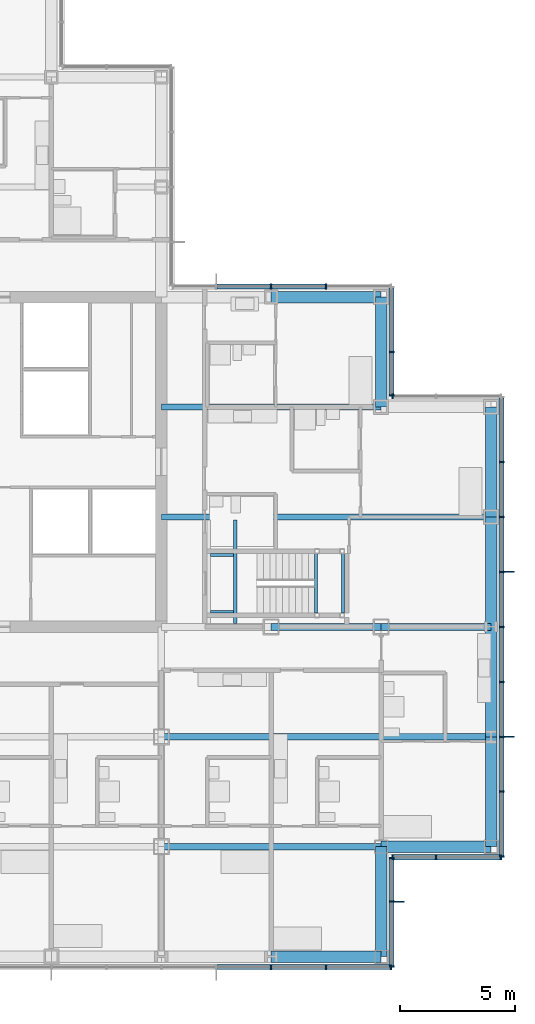
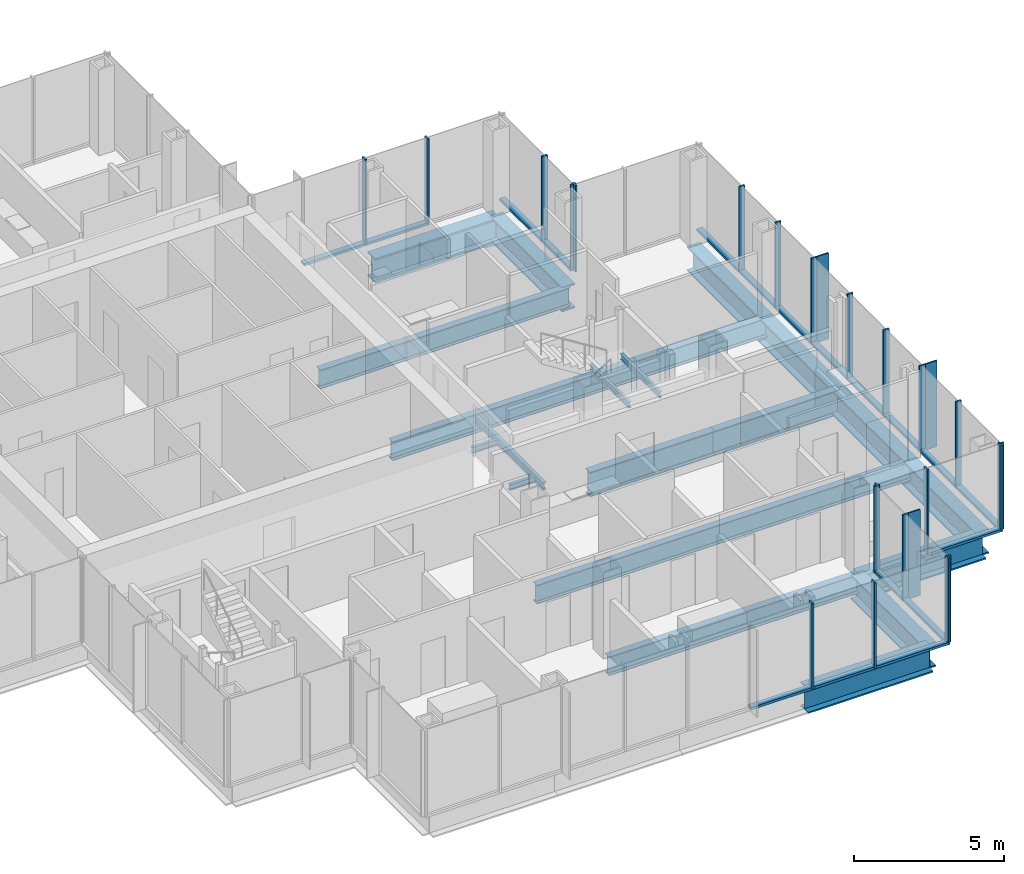
# One storey, part 8 of 19: 44 members, 20 beams, 7 elements without a shape of their own.
"""IFC4 building model written with IfcOpenShell, lengths in metres."""

from ifc_helpers import new_model, si_unit, direction, frame, origin, origin_2d, place, context, subcontext, project, spatial, rectangle, i_section, extrude, material, material_profile, profile_set, type_object, element, aggregate, save


model = new_model("IFC4")

# Units and contexts
model_context = context("Model", 3, precision=1e-05, world=origin(), true_north=direction((0.0, 1.0)))
body_context = subcontext(model_context, "Body", "Model", "MODEL_VIEW")
ifc_project = project(units=[si_unit("LENGTHUNIT", "METRE"), si_unit("AREAUNIT", "SQUARE_METRE"), si_unit("VOLUMEUNIT", "CUBIC_METRE"), si_unit("PLANEANGLEUNIT", "RADIAN"), si_unit("MASSUNIT", "GRAM", prefix="KILO")], contexts=[model_context])

# Site, building, storey
site_placement = place(None, origin())
site = spatial("IfcSite", under=ifc_project, at=site_placement, CompositionType="ELEMENT")
building_placement = place(site_placement, origin())
building = spatial("IfcBuilding", under=site, at=building_placement, Name="Kvirike Care Tower", CompositionType="ELEMENT")
storey_placement = place(building_placement, frame((0.0, 0.0, 87.5)))
storey = spatial("IfcBuildingStorey", under=building, at=storey_placement, Name="L23", CompositionType="ELEMENT", Elevation=87.5)

# Curtain wall, members
ifc_material_1 = material(Name="Anodised aluminium stick system", Category="aluminium")
curtain_wall_type = type_object("IfcCurtainWallType", Name="CW-B STICK CURTAIN WALL", PredefinedType="NOTDEFINED", material=ifc_material_1)
curtain_wall_1_placement = place(storey_placement, origin())
curtain_wall_1 = element("IfcCurtainWall", 1, at=curtain_wall_1_placement, inside=storey, type_object=curtain_wall_type, Name="Curtain wall L23 face 1", PredefinedType="NOTDEFINED")
ifc_material_2 = material(Name="Bronze anodised aluminium fin", Category="aluminium")
ifc_material_profile_1 = material_profile(ifc_material_2, rectangle(XDim=0.050048828125, YDim=0.449951171875, at=origin_2d()), Name="BRONZE FIN 450")
ifc_profile_set_1 = profile_set([ifc_material_profile_1], Name="Bronze anodised aluminium fin")
member_type_1 = type_object("IfcMemberType", Name="BRONZE FIN 450", PredefinedType="USERDEFINED", material=ifc_profile_set_1)
member_1_placement = place(storey_placement, frame((43.9951171875, 24.0, 0.0), z_axis=(0.0, 0.0, 1.0), x_axis=(0.0, 1.0, 0.0)))
member_1 = element("IfcMember", 2, at=member_1_placement, type_object=member_type_1, Name="Bronze fin L23 face 1.3", ObjectType="FIN", PredefinedType="USERDEFINED", context=body_context, shape_type="SweptSolid", body=[
    extrude(rectangle(XDim=0.050048828125, YDim=0.449951171875, at=origin_2d()), origin(), (0.0, 0.0, 1.0), 3.5),
])
member_2_placement = place(storey_placement, frame((43.9951171875, 31.199951171875, 0.0), z_axis=(0.0, 0.0, 1.0), x_axis=(0.0, 1.0, 0.0)))
member_2 = element("IfcMember", 3, at=member_2_placement, type_object=member_type_1, Name="Bronze fin L23 face 1.6", ObjectType="FIN", PredefinedType="USERDEFINED", context=body_context, shape_type="SweptSolid", body=[
    extrude(rectangle(XDim=0.050048828125, YDim=0.449951171875, at=origin_2d()), origin(), (0.0, 0.0, 1.0), 3.5),
])

# Curtain wall, member
curtain_wall_2_placement = place(storey_placement, origin())
curtain_wall_2 = element("IfcCurtainWall", 4, at=curtain_wall_2_placement, inside=storey, type_object=curtain_wall_type, Name="Curtain wall L23 face 19", PredefinedType="NOTDEFINED")
member_3_placement = place(storey_placement, frame((39.195068359375, 16.800048828125, 0.0), z_axis=(0.0, 0.0, 1.0), x_axis=(0.0, 1.0, 0.0)))
member_3 = element("IfcMember", 5, at=member_3_placement, type_object=member_type_1, Name="Bronze fin L23 face 19.2", ObjectType="FIN", PredefinedType="USERDEFINED", context=body_context, shape_type="SweptSolid", body=[
    extrude(rectangle(XDim=0.050048828125, YDim=0.449951171875, at=origin_2d()), origin(), (0.0, 0.0, 1.0), 3.5),
])

# Member
ifc_material_3 = material(Name="Bronze anodised aluminium mullion", Category="aluminium")
ifc_material_profile_2 = material_profile(ifc_material_3, rectangle(XDim=0.06494140625, YDim=0.219970703125, at=origin_2d()), Name="CW-B MULLION 65x220")
ifc_profile_set_2 = profile_set([ifc_material_profile_2], Name="Bronze anodised aluminium mullion")
member_type_2 = type_object("IfcMemberType", Name="CW-B MULLION 65x220", PredefinedType="MULLION", material=ifc_profile_set_2)
member_4_placement = place(storey_placement, frame((43.659912109375, 18.7724609375, 0.0), z_axis=(0.0, 0.0, 1.0), x_axis=(0.0, 1.0, 0.0)))
member_4 = element("IfcMember", 6, at=member_4_placement, type_object=member_type_2, Name="CW-B mullion L23 face 1.1", PredefinedType="MULLION", context=body_context, shape_type="SweptSolid", body=[
    extrude(rectangle(XDim=0.06494140625, YDim=0.219970703125, at=origin_2d()), origin(), (0.0, 0.0, 1.0), 3.5),
])

member_5_placement = place(storey_placement, frame((43.659912109375, 21.60009765625, 0.0), z_axis=(0.0, 0.0, 1.0), x_axis=(0.0, 1.0, 0.0)))
member_5 = element("IfcMember", 7, at=member_5_placement, type_object=member_type_2, Name="CW-B mullion L23 face 1.2", PredefinedType="MULLION", context=body_context, shape_type="SweptSolid", body=[
    extrude(rectangle(XDim=0.06494140625, YDim=0.219970703125, at=origin_2d()), origin(), (0.0, 0.0, 1.0), 3.5),
])

member_6_placement = place(storey_placement, frame((43.659912109375, 24.0, 0.0), z_axis=(0.0, 0.0, 1.0), x_axis=(0.0, 1.0, 0.0)))
member_6 = element("IfcMember", 8, at=member_6_placement, type_object=member_type_2, Name="CW-B mullion L23 face 1.3", PredefinedType="MULLION", context=body_context, shape_type="SweptSolid", body=[
    extrude(rectangle(XDim=0.06494140625, YDim=0.219970703125, at=origin_2d()), origin(), (0.0, 0.0, 1.0), 3.5),
])

member_7_placement = place(storey_placement, frame((43.659912109375, 26.39990234375, 0.0), z_axis=(0.0, 0.0, 1.0), x_axis=(0.0, 1.0, 0.0)))
member_7 = element("IfcMember", 9, at=member_7_placement, type_object=member_type_2, Name="CW-B mullion L23 face 1.4", PredefinedType="MULLION", context=body_context, shape_type="SweptSolid", body=[
    extrude(rectangle(XDim=0.06494140625, YDim=0.219970703125, at=origin_2d()), origin(), (0.0, 0.0, 1.0), 3.5),
])

member_8_placement = place(storey_placement, frame((43.659912109375, 28.800048828125, 0.0), z_axis=(0.0, 0.0, 1.0), x_axis=(0.0, 1.0, 0.0)))
member_8 = element("IfcMember", 10, at=member_8_placement, type_object=member_type_2, Name="CW-B mullion L23 face 1.5", PredefinedType="MULLION", context=body_context, shape_type="SweptSolid", body=[
    extrude(rectangle(XDim=0.06494140625, YDim=0.219970703125, at=origin_2d()), origin(), (0.0, 0.0, 1.0), 3.5),
])

member_9_placement = place(storey_placement, frame((43.659912109375, 31.199951171875, 0.0), z_axis=(0.0, 0.0, 1.0), x_axis=(0.0, 1.0, 0.0)))
member_9 = element("IfcMember", 11, at=member_9_placement, type_object=member_type_2, Name="CW-B mullion L23 face 1.6", PredefinedType="MULLION", context=body_context, shape_type="SweptSolid", body=[
    extrude(rectangle(XDim=0.06494140625, YDim=0.219970703125, at=origin_2d()), origin(), (0.0, 0.0, 1.0), 3.5),
])

member_10_placement = place(storey_placement, frame((43.659912109375, 33.60009765625, 0.0), z_axis=(0.0, 0.0, 1.0), x_axis=(0.0, 1.0, 0.0)))
member_10 = element("IfcMember", 12, at=member_10_placement, type_object=member_type_2, Name="CW-B mullion L23 face 1.7", PredefinedType="MULLION", context=body_context, shape_type="SweptSolid", body=[
    extrude(rectangle(XDim=0.06494140625, YDim=0.219970703125, at=origin_2d()), origin(), (0.0, 0.0, 1.0), 3.5),
])

member_11_placement = place(storey_placement, frame((43.659912109375, 36.0, 0.0), z_axis=(0.0, 0.0, 1.0), x_axis=(0.0, 1.0, 0.0)))
member_11 = element("IfcMember", 13, at=member_11_placement, type_object=member_type_2, Name="CW-B mullion L23 face 1.8", PredefinedType="MULLION", context=body_context, shape_type="SweptSolid", body=[
    extrude(rectangle(XDim=0.06494140625, YDim=0.219970703125, at=origin_2d()), origin(), (0.0, 0.0, 1.0), 3.5),
])

# Curtain wall, member
curtain_wall_3_placement = place(storey_placement, origin())
curtain_wall_3 = element("IfcCurtainWall", 14, at=curtain_wall_3_placement, inside=storey, type_object=curtain_wall_type, Name="Curtain wall L23 face 2", PredefinedType="NOTDEFINED")
member_12_placement = place(storey_placement, frame((38.892578125, 38.860107421875, 0.0), z_axis=(0.0, 0.0, 1.0), x_axis=(-1.0, 0.0, 0.0)))
member_12 = element("IfcMember", 15, at=member_12_placement, type_object=member_type_2, Name="CW-B mullion L23 face 2.3", PredefinedType="MULLION", context=body_context, shape_type="SweptSolid", body=[
    extrude(rectangle(XDim=0.06494140625, YDim=0.219970703125, at=origin_2d()), origin(), (0.0, 0.0, 1.0), 3.5),
])
aggregate(curtain_wall_3, [member_12])

# Curtain wall, members
curtain_wall_4_placement = place(storey_placement, origin())
curtain_wall_4 = element("IfcCurtainWall", 16, at=curtain_wall_4_placement, inside=storey, type_object=curtain_wall_type, Name="Curtain wall L23 face 3", PredefinedType="NOTDEFINED")
member_13_placement = place(storey_placement, frame((38.860107421875, 38.892578125, 0.0), z_axis=(0.0, 0.0, 1.0), x_axis=(0.0, 1.0, 0.0)))
member_13 = element("IfcMember", 17, at=member_13_placement, type_object=member_type_2, Name="CW-B mullion L23 face 3.1", PredefinedType="MULLION", context=body_context, shape_type="SweptSolid", body=[
    extrude(rectangle(XDim=0.06494140625, YDim=0.219970703125, at=origin_2d()), origin(), (0.0, 0.0, 1.0), 3.5),
])
member_14_placement = place(storey_placement, frame((38.860107421875, 40.800048828125, 0.0), z_axis=(0.0, 0.0, 1.0), x_axis=(0.0, 1.0, 0.0)))
member_14 = element("IfcMember", 18, at=member_14_placement, type_object=member_type_2, Name="CW-B mullion L23 face 3.2", PredefinedType="MULLION", context=body_context, shape_type="SweptSolid", body=[
    extrude(rectangle(XDim=0.06494140625, YDim=0.219970703125, at=origin_2d()), origin(), (0.0, 0.0, 1.0), 3.5),
])

curtain_wall_5_placement = place(storey_placement, origin())
curtain_wall_5 = element("IfcCurtainWall", 19, at=curtain_wall_5_placement, inside=storey, type_object=curtain_wall_type, Name="Curtain wall L23 face 4", PredefinedType="NOTDEFINED")
member_15_placement = place(storey_placement, frame((36.0, 43.659912109375, 0.0), z_axis=(0.0, 0.0, 1.0), x_axis=(-1.0, 0.0, 0.0)))
member_15 = element("IfcMember", 20, at=member_15_placement, type_object=member_type_2, Name="CW-B mullion L23 face 4.2", PredefinedType="MULLION", context=body_context, shape_type="SweptSolid", body=[
    extrude(rectangle(XDim=0.06494140625, YDim=0.219970703125, at=origin_2d()), origin(), (0.0, 0.0, 1.0), 3.5),
])
member_16_placement = place(storey_placement, frame((33.60009765625, 43.659912109375, 0.0), z_axis=(0.0, 0.0, 1.0), x_axis=(-1.0, 0.0, 0.0)))
member_16 = element("IfcMember", 21, at=member_16_placement, type_object=member_type_2, Name="CW-B mullion L23 face 4.3", PredefinedType="MULLION", context=body_context, shape_type="SweptSolid", body=[
    extrude(rectangle(XDim=0.06494140625, YDim=0.219970703125, at=origin_2d()), origin(), (0.0, 0.0, 1.0), 3.5),
])

curtain_wall_6_placement = place(storey_placement, origin())
curtain_wall_6 = element("IfcCurtainWall", 22, at=curtain_wall_6_placement, inside=storey, type_object=curtain_wall_type, Name="Curtain wall L23 face 18", PredefinedType="NOTDEFINED")
member_17_placement = place(storey_placement, frame((33.60009765625, 13.93994140625, 0.0), z_axis=(0.0, 0.0, 1.0), x_axis=(1.0, 0.0, 0.0)))
member_17 = element("IfcMember", 23, at=member_17_placement, type_object=member_type_2, Name="CW-B mullion L23 face 18.7", PredefinedType="MULLION", context=body_context, shape_type="SweptSolid", body=[
    extrude(rectangle(XDim=0.06494140625, YDim=0.219970703125, at=origin_2d()), origin(), (0.0, 0.0, 1.0), 3.5),
])
member_18_placement = place(storey_placement, frame((36.0, 13.93994140625, 0.0), z_axis=(0.0, 0.0, 1.0), x_axis=(1.0, 0.0, 0.0)))
member_18 = element("IfcMember", 24, at=member_18_placement, type_object=member_type_2, Name="CW-B mullion L23 face 18.8", PredefinedType="MULLION", context=body_context, shape_type="SweptSolid", body=[
    extrude(rectangle(XDim=0.06494140625, YDim=0.219970703125, at=origin_2d()), origin(), (0.0, 0.0, 1.0), 3.5),
])
member_19_placement = place(storey_placement, frame((38.827392578125, 13.93994140625, 0.0), z_axis=(0.0, 0.0, 1.0), x_axis=(1.0, 0.0, 0.0)))
member_19 = element("IfcMember", 25, at=member_19_placement, type_object=member_type_2, Name="CW-B mullion L23 face 18.9", PredefinedType="MULLION", context=body_context, shape_type="SweptSolid", body=[
    extrude(rectangle(XDim=0.06494140625, YDim=0.219970703125, at=origin_2d()), origin(), (0.0, 0.0, 1.0), 3.5),
])

# Member
member_20_placement = place(storey_placement, frame((38.860107421875, 13.972412109375, 0.0), z_axis=(0.0, 0.0, 1.0), x_axis=(0.0, 1.0, 0.0)))
member_20 = element("IfcMember", 26, at=member_20_placement, type_object=member_type_2, Name="CW-B mullion L23 face 19.1", PredefinedType="MULLION", context=body_context, shape_type="SweptSolid", body=[
    extrude(rectangle(XDim=0.06494140625, YDim=0.219970703125, at=origin_2d()), origin(), (0.0, 0.0, 1.0), 3.5),
])

member_21_placement = place(storey_placement, frame((38.860107421875, 16.800048828125, 0.0), z_axis=(0.0, 0.0, 1.0), x_axis=(0.0, 1.0, 0.0)))
member_21 = element("IfcMember", 27, at=member_21_placement, type_object=member_type_2, Name="CW-B mullion L23 face 19.2", PredefinedType="MULLION", context=body_context, shape_type="SweptSolid", body=[
    extrude(rectangle(XDim=0.06494140625, YDim=0.219970703125, at=origin_2d()), origin(), (0.0, 0.0, 1.0), 3.5),
])

member_22_placement = place(storey_placement, frame((38.860107421875, 18.70751953125, 0.0), z_axis=(0.0, 0.0, 1.0), x_axis=(0.0, 1.0, 0.0)))
member_22 = element("IfcMember", 28, at=member_22_placement, type_object=member_type_2, Name="CW-B mullion L23 face 19.3", PredefinedType="MULLION", context=body_context, shape_type="SweptSolid", body=[
    extrude(rectangle(XDim=0.06494140625, YDim=0.219970703125, at=origin_2d()), origin(), (0.0, 0.0, 1.0), 3.5),
])

# Curtain wall, members
curtain_wall_7_placement = place(storey_placement, origin())
curtain_wall_7 = element("IfcCurtainWall", 29, at=curtain_wall_7_placement, inside=storey, type_object=curtain_wall_type, Name="Curtain wall L23 face 20", PredefinedType="NOTDEFINED")
member_23_placement = place(storey_placement, frame((38.892578125, 18.739990234375, 0.0), z_axis=(0.0, 0.0, 1.0), x_axis=(1.0, 0.0, 0.0)))
member_23 = element("IfcMember", 30, at=member_23_placement, type_object=member_type_2, Name="CW-B mullion L23 face 20.1", PredefinedType="MULLION", context=body_context, shape_type="SweptSolid", body=[
    extrude(rectangle(XDim=0.06494140625, YDim=0.219970703125, at=origin_2d()), origin(), (0.0, 0.0, 1.0), 3.5),
])
member_24_placement = place(storey_placement, frame((40.800048828125, 18.739990234375, 0.0), z_axis=(0.0, 0.0, 1.0), x_axis=(1.0, 0.0, 0.0)))
member_24 = element("IfcMember", 31, at=member_24_placement, type_object=member_type_2, Name="CW-B mullion L23 face 20.2", PredefinedType="MULLION", context=body_context, shape_type="SweptSolid", body=[
    extrude(rectangle(XDim=0.06494140625, YDim=0.219970703125, at=origin_2d()), origin(), (0.0, 0.0, 1.0), 3.5),
])
member_25_placement = place(storey_placement, frame((43.62744140625, 18.739990234375, 0.0), z_axis=(0.0, 0.0, 1.0), x_axis=(1.0, 0.0, 0.0)))
member_25 = element("IfcMember", 32, at=member_25_placement, type_object=member_type_2, Name="CW-B mullion L23 face 20.3", PredefinedType="MULLION", context=body_context, shape_type="SweptSolid", body=[
    extrude(rectangle(XDim=0.06494140625, YDim=0.219970703125, at=origin_2d()), origin(), (0.0, 0.0, 1.0), 3.5),
])

# Member
ifc_material_4 = material(Name="Bronze anodised aluminium transom", Category="aluminium")
ifc_material_profile_3 = material_profile(ifc_material_4, rectangle(XDim=0.219970703125, YDim=0.10009765625, at=origin_2d()), Name="CW-B TRANSOM 220x100")
ifc_profile_set_3 = profile_set([ifc_material_profile_3], Name="Bronze anodised aluminium transom")
member_type_3 = type_object("IfcMemberType", Name="CW-B TRANSOM 220x100", PredefinedType="USERDEFINED", material=ifc_profile_set_3)
member_26_placement = place(storey_placement, frame((43.659912109375, 18.804931640625, 0.050048828125), z_axis=(0.0, 1.0, 0.0), x_axis=(-1.0, 0.0, 0.0)))
member_26 = element("IfcMember", 33, at=member_26_placement, type_object=member_type_3, Name="CW-B sill transom L23 face 1.1", ObjectType="TRANSOM", PredefinedType="USERDEFINED", context=body_context, shape_type="SweptSolid", body=[
    extrude(rectangle(XDim=0.219970703125, YDim=0.10009765625, at=origin_2d()), origin(), (0.0, 0.0, 1.0), 2.762451171875),
])

member_27_placement = place(storey_placement, frame((43.659912109375, 21.632568359375, 0.050048828125), z_axis=(0.0, 1.0, 0.0), x_axis=(-1.0, 0.0, 0.0)))
member_27 = element("IfcMember", 34, at=member_27_placement, type_object=member_type_3, Name="CW-B sill transom L23 face 1.2", ObjectType="TRANSOM", PredefinedType="USERDEFINED", context=body_context, shape_type="SweptSolid", body=[
    extrude(rectangle(XDim=0.219970703125, YDim=0.10009765625, at=origin_2d()), origin(), (0.0, 0.0, 1.0), 2.3349609375),
])

member_28_placement = place(storey_placement, frame((43.659912109375, 24.032470703125, 0.050048828125), z_axis=(0.0, 1.0, 0.0), x_axis=(-1.0, 0.0, 0.0)))
member_28 = element("IfcMember", 35, at=member_28_placement, type_object=member_type_3, Name="CW-B sill transom L23 face 1.3", ObjectType="TRANSOM", PredefinedType="USERDEFINED", context=body_context, shape_type="SweptSolid", body=[
    extrude(rectangle(XDim=0.219970703125, YDim=0.10009765625, at=origin_2d()), origin(), (0.0, 0.0, 1.0), 2.3349609375),
])

member_29_placement = place(storey_placement, frame((43.659912109375, 26.4326171875, 0.050048828125), z_axis=(0.0, 1.0, 0.0), x_axis=(-1.0, 0.0, 0.0)))
member_29 = element("IfcMember", 36, at=member_29_placement, type_object=member_type_3, Name="CW-B sill transom L23 face 1.4", ObjectType="TRANSOM", PredefinedType="USERDEFINED", context=body_context, shape_type="SweptSolid", body=[
    extrude(rectangle(XDim=0.219970703125, YDim=0.10009765625, at=origin_2d()), origin(), (0.0, 0.0, 1.0), 2.3349609375),
])

member_30_placement = place(storey_placement, frame((43.659912109375, 28.83251953125, 0.050048828125), z_axis=(0.0, 1.0, 0.0), x_axis=(-1.0, 0.0, 0.0)))
member_30 = element("IfcMember", 37, at=member_30_placement, type_object=member_type_3, Name="CW-B sill transom L23 face 1.5", ObjectType="TRANSOM", PredefinedType="USERDEFINED", context=body_context, shape_type="SweptSolid", body=[
    extrude(rectangle(XDim=0.219970703125, YDim=0.10009765625, at=origin_2d()), origin(), (0.0, 0.0, 1.0), 2.3349609375),
])

member_31_placement = place(storey_placement, frame((43.659912109375, 31.232421875, 0.050048828125), z_axis=(0.0, 1.0, 0.0), x_axis=(-1.0, 0.0, 0.0)))
member_31 = element("IfcMember", 38, at=member_31_placement, type_object=member_type_3, Name="CW-B sill transom L23 face 1.6", ObjectType="TRANSOM", PredefinedType="USERDEFINED", context=body_context, shape_type="SweptSolid", body=[
    extrude(rectangle(XDim=0.219970703125, YDim=0.10009765625, at=origin_2d()), origin(), (0.0, 0.0, 1.0), 2.3349609375),
])

member_32_placement = place(storey_placement, frame((43.659912109375, 33.632568359375, 0.050048828125), z_axis=(0.0, 1.0, 0.0), x_axis=(-1.0, 0.0, 0.0)))
member_32 = element("IfcMember", 39, at=member_32_placement, type_object=member_type_3, Name="CW-B sill transom L23 face 1.7", ObjectType="TRANSOM", PredefinedType="USERDEFINED", context=body_context, shape_type="SweptSolid", body=[
    extrude(rectangle(XDim=0.219970703125, YDim=0.10009765625, at=origin_2d()), origin(), (0.0, 0.0, 1.0), 2.3349609375),
])

member_33_placement = place(storey_placement, frame((43.659912109375, 36.032470703125, 0.050048828125), z_axis=(0.0, 1.0, 0.0), x_axis=(-1.0, 0.0, 0.0)))
member_33 = element("IfcMember", 40, at=member_33_placement, type_object=member_type_3, Name="CW-B sill transom L23 face 1.8", ObjectType="TRANSOM", PredefinedType="USERDEFINED", context=body_context, shape_type="SweptSolid", body=[
    extrude(rectangle(XDim=0.219970703125, YDim=0.10009765625, at=origin_2d()), origin(), (0.0, 0.0, 1.0), 2.762451171875),
])

aggregate(curtain_wall_1, [member_4, member_5, member_6, member_1, member_7, member_8, member_9, member_2, member_10, member_11, member_26, member_27, member_28, member_29, member_30, member_31, member_32, member_33])

member_34_placement = place(storey_placement, frame((38.860107421875, 38.925048828125, 0.050048828125), z_axis=(0.0, 1.0, 0.0), x_axis=(-1.0, 0.0, 0.0)))
member_34 = element("IfcMember", 41, at=member_34_placement, type_object=member_type_3, Name="CW-B sill transom L23 face 3.1", ObjectType="TRANSOM", PredefinedType="USERDEFINED", context=body_context, shape_type="SweptSolid", body=[
    extrude(rectangle(XDim=0.219970703125, YDim=0.10009765625, at=origin_2d()), origin(), (0.0, 0.0, 1.0), 1.842529296875),
])

member_35_placement = place(storey_placement, frame((38.860107421875, 40.83251953125, 0.050048828125), z_axis=(0.0, 1.0, 0.0), x_axis=(-1.0, 0.0, 0.0)))
member_35 = element("IfcMember", 42, at=member_35_placement, type_object=member_type_3, Name="CW-B sill transom L23 face 3.2", ObjectType="TRANSOM", PredefinedType="USERDEFINED", context=body_context, shape_type="SweptSolid", body=[
    extrude(rectangle(XDim=0.219970703125, YDim=0.10009765625, at=origin_2d()), origin(), (0.0, 0.0, 1.0), 2.762451171875),
])

aggregate(curtain_wall_4, [member_13, member_14, member_34, member_35])

member_36_placement = place(storey_placement, frame((35.967529296875, 43.659912109375, 0.050048828125), z_axis=(-1.0, 0.0, 0.0), x_axis=(0.0, -1.0, 0.0)))
member_36 = element("IfcMember", 43, at=member_36_placement, type_object=member_type_3, Name="CW-B sill transom L23 face 4.2", ObjectType="TRANSOM", PredefinedType="USERDEFINED", context=body_context, shape_type="SweptSolid", body=[
    extrude(rectangle(XDim=0.219970703125, YDim=0.10009765625, at=origin_2d()), origin(), (0.0, 0.0, 1.0), 2.3349609375),
])

member_37_placement = place(storey_placement, frame((33.5673828125, 43.659912109375, 0.050048828125), z_axis=(-1.0, 0.0, 0.0), x_axis=(0.0, -1.0, 0.0)))
member_37 = element("IfcMember", 44, at=member_37_placement, type_object=member_type_3, Name="CW-B sill transom L23 face 4.3", ObjectType="TRANSOM", PredefinedType="USERDEFINED", context=body_context, shape_type="SweptSolid", body=[
    extrude(rectangle(XDim=0.219970703125, YDim=0.10009765625, at=origin_2d()), origin(), (0.0, 0.0, 1.0), 2.3349609375),
])

aggregate(curtain_wall_5, [member_15, member_16, member_36, member_37])

member_38_placement = place(storey_placement, frame((31.232421875, 13.93994140625, 0.050048828125), z_axis=(1.0, 0.0, 0.0), x_axis=(0.0, 1.0, 0.0)))
member_38 = element("IfcMember", 45, at=member_38_placement, type_object=member_type_3, Name="CW-B sill transom L23 face 18.6", ObjectType="TRANSOM", PredefinedType="USERDEFINED", context=body_context, shape_type="SweptSolid", body=[
    extrude(rectangle(XDim=0.219970703125, YDim=0.10009765625, at=origin_2d()), origin(), (0.0, 0.0, 1.0), 2.3349609375),
])

member_39_placement = place(storey_placement, frame((33.632568359375, 13.93994140625, 0.050048828125), z_axis=(1.0, 0.0, 0.0), x_axis=(0.0, 1.0, 0.0)))
member_39 = element("IfcMember", 46, at=member_39_placement, type_object=member_type_3, Name="CW-B sill transom L23 face 18.7", ObjectType="TRANSOM", PredefinedType="USERDEFINED", context=body_context, shape_type="SweptSolid", body=[
    extrude(rectangle(XDim=0.219970703125, YDim=0.10009765625, at=origin_2d()), origin(), (0.0, 0.0, 1.0), 2.3349609375),
])

member_40_placement = place(storey_placement, frame((36.032470703125, 13.93994140625, 0.050048828125), z_axis=(1.0, 0.0, 0.0), x_axis=(0.0, 1.0, 0.0)))
member_40 = element("IfcMember", 47, at=member_40_placement, type_object=member_type_3, Name="CW-B sill transom L23 face 18.8", ObjectType="TRANSOM", PredefinedType="USERDEFINED", context=body_context, shape_type="SweptSolid", body=[
    extrude(rectangle(XDim=0.219970703125, YDim=0.10009765625, at=origin_2d()), origin(), (0.0, 0.0, 1.0), 2.762451171875),
])

aggregate(curtain_wall_6, [member_17, member_18, member_19, member_38, member_39, member_40])

member_41_placement = place(storey_placement, frame((38.860107421875, 14.0048828125, 0.050048828125), z_axis=(0.0, 1.0, 0.0), x_axis=(-1.0, 0.0, 0.0)))
member_41 = element("IfcMember", 48, at=member_41_placement, type_object=member_type_3, Name="CW-B sill transom L23 face 19.1", ObjectType="TRANSOM", PredefinedType="USERDEFINED", context=body_context, shape_type="SweptSolid", body=[
    extrude(rectangle(XDim=0.219970703125, YDim=0.10009765625, at=origin_2d()), origin(), (0.0, 0.0, 1.0), 2.7626953125),
])

member_42_placement = place(storey_placement, frame((38.860107421875, 16.83251953125, 0.050048828125), z_axis=(0.0, 1.0, 0.0), x_axis=(-1.0, 0.0, 0.0)))
member_42 = element("IfcMember", 49, at=member_42_placement, type_object=member_type_3, Name="CW-B sill transom L23 face 19.2", ObjectType="TRANSOM", PredefinedType="USERDEFINED", context=body_context, shape_type="SweptSolid", body=[
    extrude(rectangle(XDim=0.219970703125, YDim=0.10009765625, at=origin_2d()), origin(), (0.0, 0.0, 1.0), 1.842529296875),
])

aggregate(curtain_wall_2, [member_20, member_21, member_3, member_22, member_41, member_42])

member_43_placement = place(storey_placement, frame((38.925048828125, 18.739990234375, 0.050048828125), z_axis=(1.0, 0.0, 0.0), x_axis=(0.0, 1.0, 0.0)))
member_43 = element("IfcMember", 50, at=member_43_placement, type_object=member_type_3, Name="CW-B sill transom L23 face 20.1", ObjectType="TRANSOM", PredefinedType="USERDEFINED", context=body_context, shape_type="SweptSolid", body=[
    extrude(rectangle(XDim=0.219970703125, YDim=0.10009765625, at=origin_2d()), origin(), (0.0, 0.0, 1.0), 1.842529296875),
])

member_44_placement = place(storey_placement, frame((40.83251953125, 18.739990234375, 0.050048828125), z_axis=(1.0, 0.0, 0.0), x_axis=(0.0, 1.0, 0.0)))
member_44 = element("IfcMember", 51, at=member_44_placement, type_object=member_type_3, Name="CW-B sill transom L23 face 20.2", ObjectType="TRANSOM", PredefinedType="USERDEFINED", context=body_context, shape_type="SweptSolid", body=[
    extrude(rectangle(XDim=0.219970703125, YDim=0.10009765625, at=origin_2d()), origin(), (0.0, 0.0, 1.0), 2.762451171875),
])

aggregate(curtain_wall_7, [member_23, member_24, member_25, member_43, member_44])

# Beams
ifc_material_5 = material(Name="Steel S355", Category="steel")
ifc_material_profile_4 = material_profile(ifc_material_5, i_section(OverallWidth=0.26806640625, OverallDepth=0.77001953125, WebThickness=0.015625, FlangeThickness=0.025390625, FilletRadius=0.01708984375, at=origin_2d()), Name="IPE 750x196")
ifc_profile_set_4 = profile_set([ifc_material_profile_4], Name="Steel S355")
beam_type_1 = type_object("IfcBeamType", Name="FLOOR BEAM IPE 750x196", PredefinedType="BEAM", material=ifc_profile_set_4)
beam_1_placement = place(storey_placement, frame((28.800048828125, 19.199951171875, -0.554931640625), z_axis=(1.0, 0.0, 0.0), x_axis=(0.0, 1.0, 0.0)))
element("IfcBeam", 52, at=beam_1_placement, inside=storey, type_object=beam_type_1, Name="Floor Beam E9-E11 L23", PredefinedType="BEAM", context=body_context, shape_type="SweptSolid", body=[
    extrude(i_section(OverallWidth=0.26806640625, OverallDepth=0.77001953125, WebThickness=0.015625, FlangeThickness=0.025390625, FilletRadius=0.01708984375, at=origin_2d()), origin(), (0.0, 0.0, 1.0), 9.599853515625),
])
for number, where, z_axis, x_axis, name in (
    (53, (28.800048828125, 24.0, -0.554931640625), (1.0, 0.0, 0.0), (0.0, 1.0, 0.0), "Floor Beam F9-F12 L23"),
    (54, (28.800048828125, 33.60009765625, -0.554931640625), (1.0, 0.0, 0.0), (0.0, 1.0, 0.0), "Floor Beam H9-H12 L23"),
):
    element("IfcBeam", number, at=place(storey_placement, frame(where, z_axis=z_axis, x_axis=x_axis)), inside=storey, type_object=beam_type_1, Name=name, PredefinedType="BEAM", context=body_context, shape_type="SweptSolid", body=[
        extrude(i_section(OverallWidth=0.26806640625, OverallDepth=0.77001953125, WebThickness=0.015625, FlangeThickness=0.025390625, FilletRadius=0.01708984375, at=origin_2d()), origin(), (0.0, 0.0, 1.0), 14.39990234375),
    ])
beam_2_placement = place(storey_placement, frame((28.800048828125, 38.39990234375, -0.554931640625), z_axis=(1.0, 0.0, 0.0), x_axis=(0.0, 1.0, 0.0)))
element("IfcBeam", 55, at=beam_2_placement, inside=storey, type_object=beam_type_1, Name="Floor Beam J9-J11 L23", PredefinedType="BEAM", context=body_context, shape_type="SweptSolid", body=[
    extrude(i_section(OverallWidth=0.26806640625, OverallDepth=0.77001953125, WebThickness=0.015625, FlangeThickness=0.025390625, FilletRadius=0.01708984375, at=origin_2d()), origin(), (0.0, 0.0, 1.0), 9.599853515625),
])
ifc_material_6 = material(Name="Steel S355", Category="steel")
ifc_material_profile_5 = material_profile(ifc_material_6, i_section(OverallWidth=0.300048828125, OverallDepth=1.0, WebThickness=0.01904296875, FlangeThickness=0.035888671875, FilletRadius=0.030029296875, at=origin_2d()), Name="HE 1000 B")
ifc_profile_set_5 = profile_set([ifc_material_profile_5], Name="Steel S355")
beam_type_2 = type_object("IfcBeamType", Name="FRAME BEAM HE 1000 B", PredefinedType="BEAM", material=ifc_profile_set_5)
beam_3_placement = place(storey_placement, frame((33.60009765625, 28.800048828125, -0.669921875), z_axis=(1.0, 0.0, 0.0), x_axis=(0.0, 1.0, 0.0)))
element("IfcBeam", 56, at=beam_3_placement, inside=storey, type_object=beam_type_2, Name="Frame Beam G10-G11 L23", PredefinedType="BEAM", context=body_context, shape_type="SweptSolid", body=[
    extrude(i_section(OverallWidth=0.300048828125, OverallDepth=1.0, WebThickness=0.01904296875, FlangeThickness=0.035888671875, FilletRadius=0.030029296875, at=origin_2d()), origin(), (0.0, 0.0, 1.0), 4.7998046875),
])
beam_4_placement = place(storey_placement, frame((38.39990234375, 28.800048828125, -0.669921875), z_axis=(1.0, 0.0, 0.0), x_axis=(0.0, 1.0, 0.0)))
element("IfcBeam", 57, at=beam_4_placement, inside=storey, type_object=beam_type_2, Name="Frame Beam G11-G12 L23", PredefinedType="BEAM", context=body_context, shape_type="SweptSolid", body=[
    extrude(i_section(OverallWidth=0.300048828125, OverallDepth=1.0, WebThickness=0.01904296875, FlangeThickness=0.035888671875, FilletRadius=0.030029296875, at=origin_2d()), origin(), (0.0, 0.0, 1.0), 4.800048828125),
])
ifc_material_7 = material(Name="Steel S355", Category="steel")
ifc_material_profile_6 = material_profile(ifc_material_7, i_section(OverallWidth=0.5, OverallDepth=1.0, WebThickness=0.030029296875, FlangeThickness=0.06005859375, at=origin_2d()), Name="PG 1000x500x30x60")
ifc_profile_set_6 = profile_set([ifc_material_profile_6], Name="Steel S355")
beam_type_3 = type_object("IfcBeamType", Name="SPANDREL PG 1000x500x30x60", PredefinedType="SPANDREL", material=ifc_profile_set_6)
beam_5_placement = place(storey_placement, frame((33.60009765625, 14.39990234375, -0.669921875), z_axis=(1.0, 0.0, 0.0), x_axis=(0.0, 1.0, 0.0)))
element("IfcBeam", 58, at=beam_5_placement, inside=storey, type_object=beam_type_3, Name="Spandrel D10-D11 L23", PredefinedType="SPANDREL", context=body_context, shape_type="SweptSolid", body=[
    extrude(i_section(OverallWidth=0.5, OverallDepth=1.0, WebThickness=0.030029296875, FlangeThickness=0.06005859375, at=origin_2d()), origin(), (0.0, 0.0, 1.0), 4.7998046875),
])
beam_6_placement = place(storey_placement, frame((38.39990234375, 19.199951171875, -0.669921875), z_axis=(1.0, 0.0, 0.0), x_axis=(0.0, 1.0, 0.0)))
element("IfcBeam", 59, at=beam_6_placement, inside=storey, type_object=beam_type_3, Name="Spandrel E11-E12 L23", PredefinedType="SPANDREL", context=body_context, shape_type="SweptSolid", body=[
    extrude(i_section(OverallWidth=0.5, OverallDepth=1.0, WebThickness=0.030029296875, FlangeThickness=0.06005859375, at=origin_2d()), origin(), (0.0, 0.0, 1.0), 4.800048828125),
])
beam_7_placement = place(storey_placement, frame((33.60009765625, 43.199951171875, -0.669921875), z_axis=(1.0, 0.0, 0.0), x_axis=(0.0, 1.0, 0.0)))
element("IfcBeam", 60, at=beam_7_placement, inside=storey, type_object=beam_type_3, Name="Spandrel K10-K11 L23", PredefinedType="SPANDREL", context=body_context, shape_type="SweptSolid", body=[
    extrude(i_section(OverallWidth=0.5, OverallDepth=1.0, WebThickness=0.030029296875, FlangeThickness=0.06005859375, at=origin_2d()), origin(), (0.0, 0.0, 1.0), 4.7998046875),
])
for number, where, z_axis, x_axis, name in (
    (61, (38.39990234375, 14.39990234375, -0.669921875), (0.0, 1.0, 0.0), (-1.0, 0.0, 0.0), "Spandrel D11-E11 L23"),
    (62, (38.39990234375, 38.39990234375, -0.669921875), (0.0, 1.0, 0.0), (-1.0, 0.0, 0.0), "Spandrel J11-K11 L23"),
    (63, (43.199951171875, 19.199951171875, -0.669921875), (0.0, 1.0, 0.0), (-1.0, 0.0, 0.0), "Spandrel E12-F12 L23"),
    (64, (43.199951171875, 24.0, -0.669921875), (0.0, 1.0, 0.0), (-1.0, 0.0, 0.0), "Spandrel F12-G12 L23"),
    (65, (43.199951171875, 28.800048828125, -0.669921875), (0.0, 1.0, 0.0), (-1.0, 0.0, 0.0), "Spandrel G12-H12 L23"),
):
    element("IfcBeam", number, at=place(storey_placement, frame(where, z_axis=z_axis, x_axis=x_axis)), inside=storey, type_object=beam_type_3, Name=name, PredefinedType="SPANDREL", context=body_context, shape_type="SweptSolid", body=[
        extrude(i_section(OverallWidth=0.5, OverallDepth=1.0, WebThickness=0.030029296875, FlangeThickness=0.06005859375, at=origin_2d()), origin(), (0.0, 0.0, 1.0), 4.800048828125),
    ])
beam_8_placement = place(storey_placement, frame((43.199951171875, 33.60009765625, -0.669921875), z_axis=(0.0, 1.0, 0.0), x_axis=(-1.0, 0.0, 0.0)))
element("IfcBeam", 66, at=beam_8_placement, inside=storey, type_object=beam_type_3, Name="Spandrel H12-J12 L23", PredefinedType="SPANDREL", context=body_context, shape_type="SweptSolid", body=[
    extrude(i_section(OverallWidth=0.5, OverallDepth=1.0, WebThickness=0.030029296875, FlangeThickness=0.06005859375, at=origin_2d()), origin(), (0.0, 0.0, 1.0), 4.7998046875),
])
ifc_material_8 = material(Name="Steel S355", Category="steel")
ifc_material_profile_7 = material_profile(ifc_material_8, i_section(OverallWidth=0.1201171875, OverallDepth=0.239990234375, WebThickness=0.006103515625, FlangeThickness=0.009765625, FilletRadius=0.014892578125, at=origin_2d()), Name="IPE 240")
ifc_profile_set_7 = profile_set([ifc_material_profile_7], Name="Steel S355")
beam_type_4 = type_object("IfcBeamType", Name="STAIR LANDING BEAM IPE 240", PredefinedType="BEAM", material=ifc_profile_set_7)
for number, where, z_axis, x_axis, name in (
    (67, (36.739990234375, 29.39990234375, 1.429931640625), (0.0, 1.0, 0.0), (-1.0, 0.0, 0.0), "Stair 2 landing beam back L23"),
    (68, (35.56005859375, 29.39990234375, 1.429931640625), (0.0, 1.0, 0.0), (-1.0, 0.0, 0.0), "Stair 2 landing beam front L23"),
):
    element("IfcBeam", number, at=place(storey_placement, frame(where, z_axis=z_axis, x_axis=x_axis)), inside=storey, type_object=beam_type_4, Name=name, PredefinedType="BEAM", context=body_context, shape_type="SweptSolid", body=[
        extrude(i_section(OverallWidth=0.1201171875, OverallDepth=0.239990234375, WebThickness=0.006103515625, FlangeThickness=0.009765625, FilletRadius=0.014892578125, at=origin_2d()), origin(), (0.0, 0.0, 1.0), 2.60009765625),
    ])
for number, where, z_axis, x_axis, name in (
    (69, (31.949951171875, 29.4599609375, -0.320068359375), (-1.0, 0.0, 0.0), (0.0, -1.0, 0.0), "Stair 2 landing edge beam 1 L23"),
    (70, (31.949951171875, 31.93994140625, -0.320068359375), (-1.0, 0.0, 0.0), (0.0, -1.0, 0.0), "Stair 2 landing edge beam 2 L23"),
):
    element("IfcBeam", number, at=place(storey_placement, frame(where, z_axis=z_axis, x_axis=x_axis)), inside=storey, type_object=beam_type_4, Name=name, PredefinedType="BEAM", context=body_context, shape_type="SweptSolid", body=[
        extrude(i_section(OverallWidth=0.1201171875, OverallDepth=0.239990234375, WebThickness=0.006103515625, FlangeThickness=0.009765625, FilletRadius=0.014892578125, at=origin_2d()), origin(), (0.0, 0.0, 1.0), 1.0),
    ])
ifc_material_9 = material(Name="Steel S355", Category="steel")
ifc_material_profile_8 = material_profile(ifc_material_9, i_section(OverallWidth=0.14990234375, OverallDepth=0.300048828125, WebThickness=0.007080078125, FlangeThickness=0.0107421875, FilletRadius=0.014892578125, at=origin_2d()), Name="IPE 300")
ifc_profile_set_8 = profile_set([ifc_material_profile_8], Name="Steel S355")
beam_type_5 = type_object("IfcBeamType", Name="STAIR TRIMMER IPE 300", PredefinedType="BEAM", material=ifc_profile_set_8)
beam_9_placement = place(storey_placement, frame((32.02490234375, 28.949951171875, -0.35009765625), z_axis=(0.0, 1.0, 0.0), x_axis=(-1.0, 0.0, 0.0)))
element("IfcBeam", 71, at=beam_9_placement, inside=storey, type_object=beam_type_5, Name="Stair 2 trimmer 1 L23", PredefinedType="BEAM", context=body_context, shape_type="SweptSolid", body=[
    extrude(i_section(OverallWidth=0.14990234375, OverallDepth=0.300048828125, WebThickness=0.007080078125, FlangeThickness=0.0107421875, FilletRadius=0.014892578125, at=origin_2d()), origin(), (0.0, 0.0, 1.0), 4.51611328125),
])

save(model, "model.ifc")
